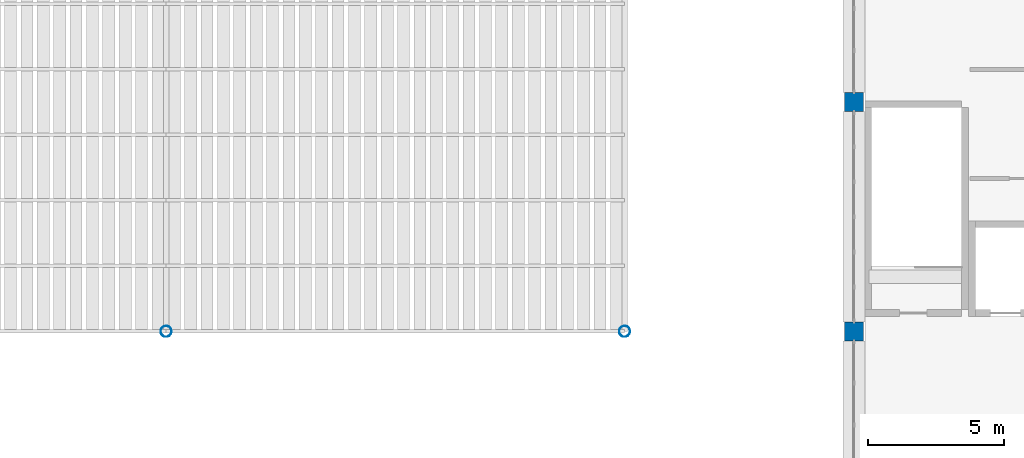
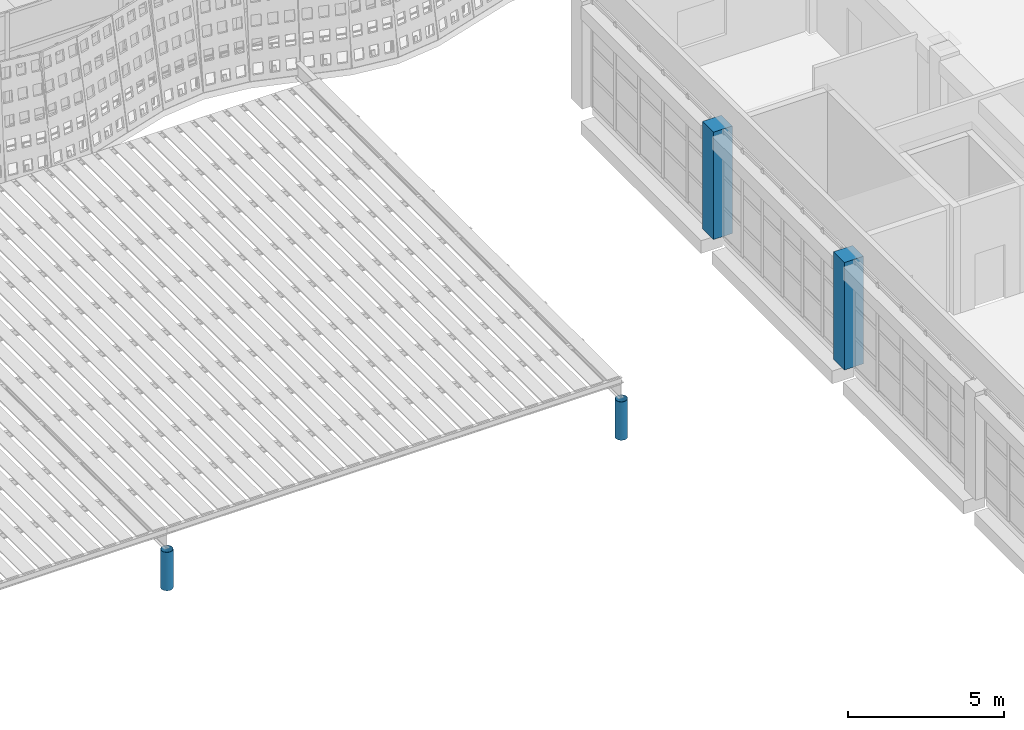
# One storey, part 10 of 162: 4 columns.
"""IFC4 building model written with IfcOpenShell, lengths in metres."""

from ifc_helpers import new_model, si_unit, direction, frame, origin, origin_2d, place, context, subcontext, project, spatial, rectangle, hollow_circle, extrude, material, material_profile, profile_set, type_object, element, save


model = new_model("IFC4")

# Units and contexts
model_context = context("Model", 3, precision=1e-05, world=origin(), true_north=direction((0.0, 1.0)))
body_context = subcontext(model_context, "Body", "Model", "MODEL_VIEW")
ifc_project = project(units=[si_unit("LENGTHUNIT", "METRE"), si_unit("AREAUNIT", "SQUARE_METRE"), si_unit("VOLUMEUNIT", "CUBIC_METRE"), si_unit("PLANEANGLEUNIT", "RADIAN"), si_unit("MASSUNIT", "GRAM", prefix="KILO")], contexts=[model_context])

# Site, building, storey
site_placement = place(None, origin())
site = spatial("IfcSite", under=ifc_project, at=site_placement, CompositionType="ELEMENT")
building_placement = place(site_placement, origin())
building = spatial("IfcBuilding", under=site, at=building_placement, Name="Rain Tree Exposition and Congress Centre", CompositionType="ELEMENT")
storey_placement = place(building_placement, frame((0.0, 0.0, 6.0)))
storey = spatial("IfcBuildingStorey", under=building, at=storey_placement, Name="L01", CompositionType="ELEMENT", Elevation=6.0)

# Columns
ifc_material_1 = material(Name="Precast concrete C50/60", Category="concrete")
ifc_material_profile_1 = material_profile(ifc_material_1, rectangle(XDim=0.699951171875, YDim=0.699951171875, at=origin_2d()), Name="RC 700x700")
ifc_profile_set_1 = profile_set([ifc_material_profile_1], Name="Precast concrete C50/60")
column_type_1 = type_object("IfcColumnType", Name="Precast column 700x700", PredefinedType="COLUMN", material=ifc_profile_set_1)
for number, where, z_axis, x_axis, name in (
    (1, (151.199951171875, 50.39990234375, 0.0), (0.0, 0.0, 1.0), (1.0, 0.0, 0.0), "CF151.2-50.4"),
    (2, (151.199951171875, 58.800048828125, 0.0), (0.0, 0.0, 1.0), (1.0, 0.0, 0.0), "CF151.2-58.8"),
):
    element("IfcColumn", number, at=place(storey_placement, frame(where, z_axis=z_axis, x_axis=x_axis)), inside=storey, type_object=column_type_1, Name=name, PredefinedType="COLUMN", context=body_context, shape_type="SweptSolid", body=[
        extrude(rectangle(XDim=0.699951171875, YDim=0.699951171875, at=origin_2d()), origin(), (0.0, 0.0, 1.0), 4.199951171875),
    ])
ifc_material_2 = material(Name="Steel S355J2H", Category="steel")
ifc_material_profile_2 = material_profile(ifc_material_2, hollow_circle(Radius=0.203125, WallThickness=0.009033203125, at=origin_2d()), Name="CHS 406.4x9")
ifc_profile_set_2 = profile_set([ifc_material_profile_2], Name="Steel S355J2H")
column_type_2 = type_object("IfcColumnType", Name="Steel column CHS 406.4x9", PredefinedType="COLUMN", material=ifc_profile_set_2)
for number, where, z_axis, x_axis, name in (
    (3, (126.0, 50.39990234375, 0.0), (0.0, 0.0, 1.0), (1.0, 0.0, 0.0), "Rain tree column 9"),
    (4, (142.800048828125, 50.39990234375, 0.0), (0.0, 0.0, 1.0), (1.0, 0.0, 0.0), "Rain tree column 11"),
):
    element("IfcColumn", number, at=place(storey_placement, frame(where, z_axis=z_axis, x_axis=x_axis)), inside=storey, type_object=column_type_2, Name=name, PredefinedType="COLUMN", context=body_context, shape_type="SweptSolid", body=[
        extrude(hollow_circle(Radius=0.203125, WallThickness=0.009033203125, at=origin_2d()), origin(), (0.0, 0.0, 1.0), 1.5),
    ])

save(model, "model.ifc")
